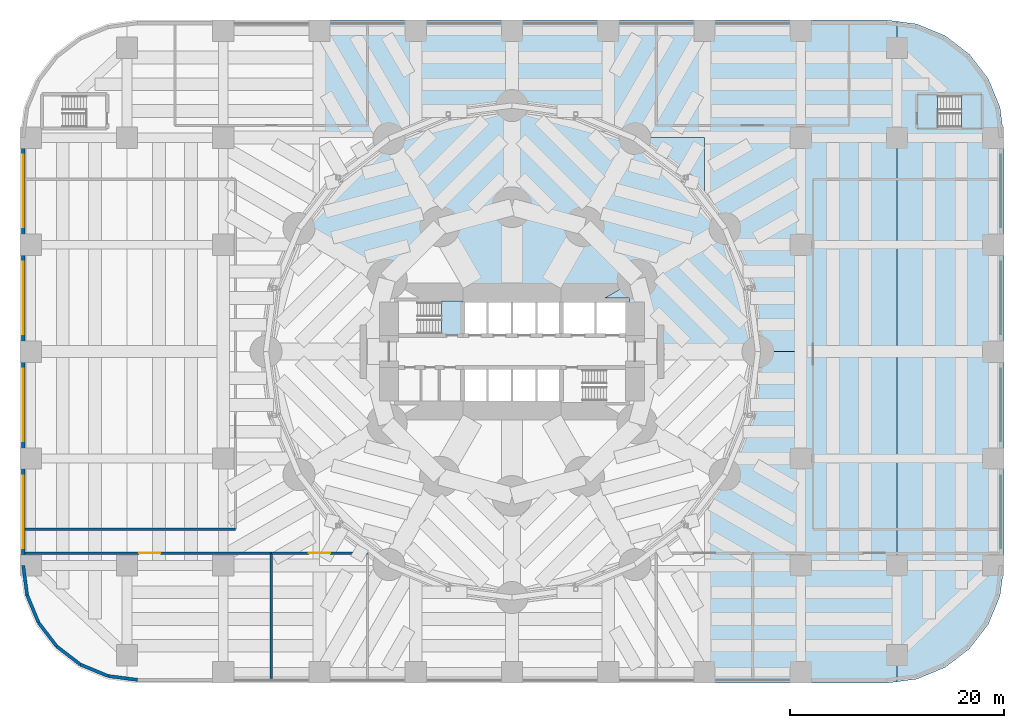
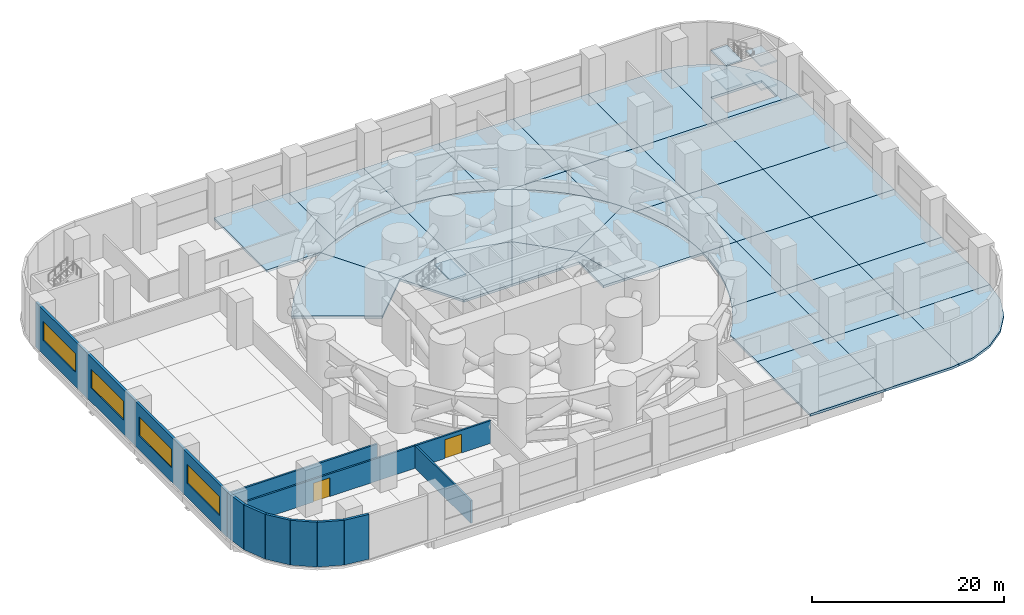
# One storey, part 8 of 14: 37 slabs, 11 walls, 4 windows, 2 doors, 6 openings, 2 elements without a shape of their own.
"""IFC4 building model written with IfcOpenShell, lengths in metres."""

from ifc_helpers import new_model, si_unit, direction, frame, frame_2d, origin, place, context, subcontext, project, spatial, polyline, rectangle, outline, extrude, material, layer, layer_set, type_object, element, fill, aggregate, save


model = new_model("IFC4")

# Units and contexts
model_context = context("Model", 3, precision=1e-05, world=origin(), true_north=direction((0.0, 1.0)))
body_context = subcontext(model_context, "Body", "Model", "MODEL_VIEW")
ifc_project = project(units=[si_unit("LENGTHUNIT", "METRE"), si_unit("AREAUNIT", "SQUARE_METRE"), si_unit("VOLUMEUNIT", "CUBIC_METRE"), si_unit("PLANEANGLEUNIT", "RADIAN"), si_unit("MASSUNIT", "GRAM", prefix="KILO")], contexts=[model_context])

# Site, building, storey
site_placement = place(None, origin())
site = spatial("IfcSite", under=ifc_project, at=site_placement, CompositionType="ELEMENT")
building_placement = place(site_placement, origin())
building = spatial("IfcBuilding", under=site, at=building_placement, Name="Qaws Media Tower", CompositionType="ELEMENT")
storey_placement = place(building_placement, frame((0.0, 0.0, 20.0)))
storey = spatial("IfcBuildingStorey", under=building, at=storey_placement, Name="L03", CompositionType="ELEMENT", Elevation=20.0)

# Slabs
ifc_material_1 = material(Name="Concrete C40/50", Category="concrete")
ifc_layer_1 = layer(ifc_material_1, 0.300048828125)
ifc_layer_set_1 = layer_set([ifc_layer_1], Name="Podium slab 300")
slab_type_1 = type_object("IfcSlabType", Name="Podium slab 300", PredefinedType="FLOOR", material=ifc_layer_set_1)
slab_1_placement = place(storey_placement, frame((0.0, 0.0, -0.300048828125)))
element("IfcSlab", 1, at=slab_1_placement, inside=storey, type_object=slab_type_1, Name="S3 slab L03 bay 4-5/F-G", PredefinedType="FLOOR", context=body_context, shape_type="SweptSolid", body=[
    extrude(outline(polyline([(51.0, 81.0), (51.0, 71.159423828125), (49.827392578125, 70.628173828125), (48.65234375, 70.0), (42.0, 70.0), (42.0, 81.0), (51.0, 81.0)])), origin(), (0.0, 0.0, 1.0), 0.300048828125),
])
slab_2_placement = place(storey_placement, frame((0.0, 0.0, -0.300048828125)))
element("IfcSlab", 2, at=slab_2_placement, inside=storey, type_object=slab_type_1, Name="S3 slab L03 bay 5-6/F-G", PredefinedType="FLOOR", context=body_context, shape_type="SweptSolid", body=[
    extrude(outline(polyline([(60.0, 81.0), (60.0, 73.0), (58.49560546875, 72.95068359375), (56.997802734375, 72.80322265625), (55.512939453125, 72.55810546875), (54.047119140625, 72.21630859375), (52.60693359375, 71.779296875), (51.1982421875, 71.249267578125), (51.0, 71.159423828125), (51.0, 81.0), (60.0, 81.0)])), origin(), (0.0, 0.0, 1.0), 0.300048828125),
])
slab_3_placement = place(storey_placement, frame((0.0, 0.0, -0.300048828125)))
element("IfcSlab", 3, at=slab_3_placement, inside=storey, type_object=slab_type_1, Name="S3 slab L03 bay 6-7/F-G", PredefinedType="FLOOR", context=body_context, shape_type="SweptSolid", body=[
    extrude(outline(polyline([(69.0, 81.0), (69.0, 71.159423828125), (68.8017578125, 71.249267578125), (67.39306640625, 71.779296875), (65.952880859375, 72.21630859375), (64.487060546875, 72.55810546875), (63.002197265625, 72.80322265625), (61.50439453125, 72.95068359375), (60.0, 73.0), (60.0, 81.0), (69.0, 81.0)])), origin(), (0.0, 0.0, 1.0), 0.300048828125),
])
slab_4_placement = place(storey_placement, frame((0.0, 0.0, -0.300048828125)))
element("IfcSlab", 4, at=slab_4_placement, inside=storey, type_object=slab_type_1, Name="S3 slab L03 bay 7-8/E-F", PredefinedType="FLOOR", context=body_context, shape_type="SweptSolid", body=[
    extrude(outline(polyline([(77.292236328125, 65.1650390625), (76.263427734375, 66.263427734375), (75.1650390625, 67.292236328125), (74.00146484375, 68.2470703125), (72.778076171875, 69.123779296875), (71.5, 69.918701171875), (71.34765625, 70.0), (78.0, 70.0), (78.0, 64.302490234375), (77.292236328125, 65.1650390625)])), origin(), (0.0, 0.0, 1.0), 0.300048828125),
])
slab_5_placement = place(storey_placement, frame((0.0, 0.0, -0.300048828125)))
element("IfcSlab", 5, at=slab_5_placement, inside=storey, type_object=slab_type_1, Name="S3 slab L03 bay 7-8/F-G", PredefinedType="FLOOR", context=body_context, shape_type="SweptSolid", body=[
    extrude(outline(polyline([(78.0, 81.0), (78.0, 70.0), (71.34765625, 70.0), (70.172607421875, 70.628173828125), (69.0, 71.159423828125), (69.0, 81.0), (78.0, 81.0)])), origin(), (0.0, 0.0, 1.0), 0.300048828125),
])
slab_6_placement = place(storey_placement, frame((0.0, 0.0, -0.300048828125)))
element("IfcSlab", 6, at=slab_6_placement, inside=storey, type_object=slab_type_1, Name="S3 slab L03 bay 8-9/A-B", PredefinedType="FLOOR", context=body_context, shape_type="SweptSolid", body=[
    extrude(outline(polyline([(78.0, 19.0), (78.0, 30.0), (87.0, 30.0), (87.0, 19.0), (78.0, 19.0)])), origin(), (0.0, 0.0, 1.0), 0.300048828125),
])
slab_7_placement = place(storey_placement, frame((0.0, 0.0, -0.300048828125)))
element("IfcSlab", 7, at=slab_7_placement, inside=storey, type_object=slab_type_1, Name="S3 slab L03 bay 8-9/B-C", PredefinedType="FLOOR", context=body_context, shape_type="SweptSolid", body=[
    extrude(outline(polyline([(78.2470703125, 35.99853515625), (79.123779296875, 37.221923828125), (79.918701171875, 38.5), (80.628173828125, 39.827392578125), (80.706298828125, 40.0), (87.0, 40.0), (87.0, 30.0), (78.0, 30.0), (78.0, 35.697509765625), (78.2470703125, 35.99853515625)])), origin(), (0.0, 0.0, 1.0), 0.300048828125),
])
slab_8_placement = place(storey_placement, frame((0.0, 0.0, -0.300048828125)))
element("IfcSlab", 8, at=slab_8_placement, inside=storey, type_object=slab_type_1, Name="S3 slab L03 bay 8-9/C-D", PredefinedType="FLOOR", context=body_context, shape_type="SweptSolid", body=[
    extrude(outline(polyline([(81.249267578125, 41.1982421875), (81.779296875, 42.60693359375), (82.21630859375, 44.047119140625), (82.55810546875, 45.512939453125), (82.80322265625, 46.997802734375), (82.95068359375, 48.49560546875), (83.0, 50.0), (87.0, 50.0), (87.0, 40.0), (80.706298828125, 40.0), (81.249267578125, 41.1982421875)])), origin(), (0.0, 0.0, 1.0), 0.300048828125),
])
slab_9_placement = place(storey_placement, frame((0.0, 0.0, -0.300048828125)))
element("IfcSlab", 9, at=slab_9_placement, inside=storey, type_object=slab_type_1, Name="S3 slab L03 bay 8-9/D-E", PredefinedType="FLOOR", context=body_context, shape_type="SweptSolid", body=[
    extrude(outline(polyline([(82.21630859375, 55.952880859375), (81.779296875, 57.39306640625), (81.249267578125, 58.8017578125), (80.706298828125, 60.0), (87.0, 60.0), (87.0, 50.0), (83.0, 50.0), (82.95068359375, 51.50439453125), (82.80322265625, 53.002197265625), (82.55810546875, 54.487060546875), (82.21630859375, 55.952880859375)])), origin(), (0.0, 0.0, 1.0), 0.300048828125),
])
slab_10_placement = place(storey_placement, frame((0.0, 0.0, -0.300048828125)))
element("IfcSlab", 10, at=slab_10_placement, inside=storey, type_object=slab_type_1, Name="S3 slab L03 bay 8-9/E-F", PredefinedType="FLOOR", context=body_context, shape_type="SweptSolid", body=[
    extrude(outline(polyline([(80.628173828125, 60.172607421875), (79.918701171875, 61.5), (79.123779296875, 62.778076171875), (78.2470703125, 64.00146484375), (78.0, 64.302490234375), (78.0, 70.0), (87.0, 70.0), (87.0, 60.0), (80.706298828125, 60.0), (80.628173828125, 60.172607421875)])), origin(), (0.0, 0.0, 1.0), 0.300048828125),
])
slab_11_placement = place(storey_placement, frame((0.0, 0.0, -0.300048828125)))
element("IfcSlab", 11, at=slab_11_placement, inside=storey, type_object=slab_type_1, Name="S3 slab L03 bay 8-9/F-G", PredefinedType="FLOOR", context=body_context, shape_type="SweptSolid", body=[
    extrude(outline(polyline([(87.0, 81.0), (87.0, 70.0), (78.0, 70.0), (78.0, 81.0), (87.0, 81.0)])), origin(), (0.0, 0.0, 1.0), 0.300048828125),
])
slab_12_placement = place(storey_placement, frame((0.0, 0.0, -0.300048828125)))
element("IfcSlab", 12, at=slab_12_placement, inside=storey, type_object=slab_type_1, Name="S3 slab L03 bay 9-10/A-B", PredefinedType="FLOOR", context=body_context, shape_type="SweptSolid", body=[
    extrude(outline(polyline([(95.0, 19.0), (87.0, 19.0), (87.0, 30.0), (96.0, 30.0), (96.0, 19.131591796875), (95.0, 19.0)])), origin(), (0.0, 0.0, 1.0), 0.300048828125),
])
slab_13_placement = place(storey_placement, frame((0.0, 0.0, -0.300048828125)))
element("IfcSlab", 13, at=slab_13_placement, inside=storey, type_object=slab_type_1, Name="S3 slab L03 bay 9-10/B-C", PredefinedType="FLOOR", context=body_context, shape_type="SweptSolid", body=[
    extrude(outline(polyline([(87.0, 30.0), (87.0, 40.0), (96.0, 40.0), (96.0, 30.0), (87.0, 30.0)])), origin(), (0.0, 0.0, 1.0), 0.300048828125),
])
slab_14_placement = place(storey_placement, frame((0.0, 0.0, -0.300048828125)))
element("IfcSlab", 14, at=slab_14_placement, inside=storey, type_object=slab_type_1, Name="S3 slab L03 bay 9-10/C-D", PredefinedType="FLOOR", context=body_context, shape_type="SweptSolid", body=[
    extrude(outline(polyline([(87.0, 40.0), (87.0, 50.0), (96.0, 50.0), (96.0, 40.0), (87.0, 40.0)])), origin(), (0.0, 0.0, 1.0), 0.300048828125),
])
slab_15_placement = place(storey_placement, frame((0.0, 0.0, -0.300048828125)))
element("IfcSlab", 15, at=slab_15_placement, inside=storey, type_object=slab_type_1, Name="S3 slab L03 bay 9-10/D-E", PredefinedType="FLOOR", context=body_context, shape_type="SweptSolid", body=[
    extrude(outline(polyline([(87.0, 50.0), (87.0, 60.0), (96.0, 60.0), (96.0, 50.0), (87.0, 50.0)])), origin(), (0.0, 0.0, 1.0), 0.300048828125),
])
slab_16_placement = place(storey_placement, frame((0.0, 0.0, -0.300048828125)))
element("IfcSlab", 16, at=slab_16_placement, inside=storey, type_object=slab_type_1, Name="S3 slab L03 bay 9-10/E-F", PredefinedType="FLOOR", context=body_context, shape_type="SweptSolid", body=[
    extrude(outline(polyline([(87.0, 60.0), (87.0, 70.0), (96.0, 70.0), (96.0, 60.0), (87.0, 60.0)])), origin(), (0.0, 0.0, 1.0), 0.300048828125),
])
slab_17_placement = place(storey_placement, frame((0.0, 0.0, -0.300048828125)))
element("IfcSlab", 17, at=slab_17_placement, inside=storey, type_object=slab_type_1, Name="S3 slab L03 bay 9-10/F-G", PredefinedType="FLOOR", context=body_context, shape_type="SweptSolid", body=[
    extrude(outline(polyline([(95.0, 81.0), (96.0, 80.868408203125), (96.0, 70.0), (87.0, 70.0), (87.0, 81.0), (95.0, 81.0)])), origin(), (0.0, 0.0, 1.0), 0.300048828125),
])
slab_18_placement = place(storey_placement, frame((0.0, 0.0, -0.300048828125)))
element("IfcSlab", 18, at=slab_18_placement, inside=storey, type_object=slab_type_1, Name="S3 slab L03 bay 10-11/A-B", PredefinedType="FLOOR", context=body_context, shape_type="SweptSolid", body=[
    extrude(outline(polyline([(105.625244140625, 27.153076171875), (104.5263671875, 24.5), (102.7783203125, 22.2216796875), (100.5, 20.4736328125), (97.846923828125, 19.374755859375), (96.0, 19.131591796875), (96.0, 30.0), (106.0, 30.0), (105.625244140625, 27.153076171875)])), origin(), (0.0, 0.0, 1.0), 0.300048828125),
])
slab_19_placement = place(storey_placement, frame((0.0, 0.0, -0.300048828125)))
element("IfcSlab", 19, at=slab_19_placement, inside=storey, type_object=slab_type_1, Name="S3 slab L03 bay 10-11/B-C", PredefinedType="FLOOR", context=body_context, shape_type="SweptSolid", body=[
    extrude(outline(polyline([(106.0, 30.0), (96.0, 30.0), (96.0, 40.0), (106.0, 40.0), (106.0, 30.0)])), origin(), (0.0, 0.0, 1.0), 0.300048828125),
])
slab_20_placement = place(storey_placement, frame((0.0, 0.0, -0.300048828125)))
element("IfcSlab", 20, at=slab_20_placement, inside=storey, type_object=slab_type_1, Name="S3 slab L03 bay 10-11/C-D", PredefinedType="FLOOR", context=body_context, shape_type="SweptSolid", body=[
    extrude(outline(polyline([(106.0, 40.0), (96.0, 40.0), (96.0, 50.0), (106.0, 50.0), (106.0, 40.0)])), origin(), (0.0, 0.0, 1.0), 0.300048828125),
])
slab_21_placement = place(storey_placement, frame((0.0, 0.0, -0.300048828125)))
element("IfcSlab", 21, at=slab_21_placement, inside=storey, type_object=slab_type_1, Name="S3 slab L03 bay 10-11/D-E", PredefinedType="FLOOR", context=body_context, shape_type="SweptSolid", body=[
    extrude(outline(polyline([(106.0, 50.0), (96.0, 50.0), (96.0, 60.0), (106.0, 60.0), (106.0, 50.0)])), origin(), (0.0, 0.0, 1.0), 0.300048828125),
])
slab_22_placement = place(storey_placement, frame((0.0, 0.0, -0.300048828125)))
element("IfcSlab", 22, at=slab_22_placement, inside=storey, type_object=slab_type_1, Name="S3 slab L03 bay 10-11/E-F", PredefinedType="FLOOR", context=body_context, shape_type="SweptSolid", body=[
    extrude(outline(polyline([(106.0, 60.0), (96.0, 60.0), (96.0, 70.0), (106.0, 70.0), (106.0, 60.0)])), origin(), (0.0, 0.0, 1.0), 0.300048828125),
])
slab_23_placement = place(storey_placement, frame((0.0, 0.0, -0.300048828125)))
element("IfcSlab", 23, at=slab_23_placement, inside=storey, type_object=slab_type_1, Name="S3 slab L03 bay 10-11/F-G", PredefinedType="FLOOR", context=body_context, shape_type="SweptSolid", body=[
    extrude(outline(polyline([(97.846923828125, 80.625244140625), (100.5, 79.5263671875), (102.7783203125, 77.7783203125), (104.5263671875, 75.5), (105.625244140625, 72.846923828125), (106.0, 70.0), (96.0, 70.0), (96.0, 80.868408203125), (97.846923828125, 80.625244140625)]), holes=[polyline([(97.85009765625, 74.050048828125), (97.85009765625, 70.85009765625), (103.949951171875, 70.85009765625), (103.949951171875, 74.050048828125), (97.85009765625, 74.050048828125)])]), origin(), (0.0, 0.0, 1.0), 0.300048828125),
])
slab_24_placement = place(storey_placement, frame((0.0, 0.0, -0.300048828125)))
element("IfcSlab", 24, at=slab_24_placement, inside=storey, type_object=slab_type_1, Name="S3 slab L03 tower sector R01-R03 outer", PredefinedType="FLOOR", context=body_context, shape_type="SweptSolid", body=[
    extrude(outline(polyline([(82.80322265625, 53.002197265625), (82.95068359375, 51.50439453125), (83.0, 50.0), (73.5, 50.0), (71.69140625, 56.75), (79.918701171875, 61.5), (80.628173828125, 60.172607421875), (81.249267578125, 58.8017578125), (81.779296875, 57.39306640625), (82.21630859375, 55.952880859375), (82.55810546875, 54.487060546875), (82.80322265625, 53.002197265625)])), origin(), (0.0, 0.0, 1.0), 0.300048828125),
])
slab_25_placement = place(storey_placement, frame((0.0, 0.0, -0.300048828125)))
element("IfcSlab", 25, at=slab_25_placement, inside=storey, type_object=slab_type_1, Name="S3 slab L03 tower sector R01-R03 inner", PredefinedType="FLOOR", context=body_context, shape_type="SweptSolid", body=[
    extrude(outline(polyline([(71.0, 50.0), (71.0, 55.0), (68.660400390625, 55.0), (71.69140625, 56.75), (73.5, 50.0), (71.0, 50.0)])), origin(), (0.0, 0.0, 1.0), 0.300048828125),
])
slab_26_placement = place(storey_placement, frame((0.0, 0.0, -0.300048828125)))
element("IfcSlab", 26, at=slab_26_placement, inside=storey, type_object=slab_type_1, Name="S3 slab L03 tower sector R03-R05 outer", PredefinedType="FLOOR", context=body_context, shape_type="SweptSolid", body=[
    extrude(outline(polyline([(78.2470703125, 64.00146484375), (79.123779296875, 62.778076171875), (79.918701171875, 61.5), (71.69140625, 56.75), (66.75, 61.69140625), (71.5, 69.918701171875), (72.778076171875, 69.123779296875), (74.00146484375, 68.2470703125), (75.1650390625, 67.292236328125), (76.263427734375, 66.263427734375), (77.292236328125, 65.1650390625), (78.2470703125, 64.00146484375)])), origin(), (0.0, 0.0, 1.0), 0.300048828125),
])
slab_27_placement = place(storey_placement, frame((0.0, 0.0, -0.300048828125)))
element("IfcSlab", 27, at=slab_27_placement, inside=storey, type_object=slab_type_1, Name="S3 slab L03 tower sector R03-R05 inner", PredefinedType="FLOOR", context=body_context, shape_type="SweptSolid", body=[
    extrude(outline(polyline([(68.660400390625, 55.0), (62.88671875, 55.0), (66.75, 61.69140625), (71.69140625, 56.75), (68.660400390625, 55.0)])), origin(), (0.0, 0.0, 1.0), 0.300048828125),
])
slab_28_placement = place(storey_placement, frame((0.0, 0.0, -0.300048828125)))
element("IfcSlab", 28, at=slab_28_placement, inside=storey, type_object=slab_type_1, Name="S3 slab L03 tower sector R05-R07 outer", PredefinedType="FLOOR", context=body_context, shape_type="SweptSolid", body=[
    extrude(outline(polyline([(68.8017578125, 71.249267578125), (70.172607421875, 70.628173828125), (71.5, 69.918701171875), (66.75, 61.69140625), (60.0, 63.5), (60.0, 73.0), (61.50439453125, 72.95068359375), (63.002197265625, 72.80322265625), (64.487060546875, 72.55810546875), (65.952880859375, 72.21630859375), (67.39306640625, 71.779296875), (68.8017578125, 71.249267578125)])), origin(), (0.0, 0.0, 1.0), 0.300048828125),
])
slab_29_placement = place(storey_placement, frame((0.0, 0.0, -0.300048828125)))
element("IfcSlab", 29, at=slab_29_placement, inside=storey, type_object=slab_type_1, Name="S3 slab L03 tower sector R05-R07 inner", PredefinedType="FLOOR", context=body_context, shape_type="SweptSolid", body=[
    extrude(outline(polyline([(62.88671875, 55.0), (60.0, 55.0), (60.0, 63.5), (66.75, 61.69140625), (62.88671875, 55.0)])), origin(), (0.0, 0.0, 1.0), 0.300048828125),
])
slab_30_placement = place(storey_placement, frame((0.0, 0.0, -0.300048828125)))
element("IfcSlab", 30, at=slab_30_placement, inside=storey, type_object=slab_type_1, Name="S3 slab L03 tower sector R07-R09 outer", PredefinedType="FLOOR", context=body_context, shape_type="SweptSolid", body=[
    extrude(outline(polyline([(56.997802734375, 72.80322265625), (58.49560546875, 72.95068359375), (60.0, 73.0), (60.0, 63.5), (53.25, 61.69140625), (48.5, 69.918701171875), (49.827392578125, 70.628173828125), (51.1982421875, 71.249267578125), (52.60693359375, 71.779296875), (54.047119140625, 72.21630859375), (55.512939453125, 72.55810546875), (56.997802734375, 72.80322265625)])), origin(), (0.0, 0.0, 1.0), 0.300048828125),
])
slab_31_placement = place(storey_placement, frame((0.0, 0.0, -0.300048828125)))
element("IfcSlab", 31, at=slab_31_placement, inside=storey, type_object=slab_type_1, Name="S3 slab L03 tower sector R07-R09 inner", PredefinedType="FLOOR", context=body_context, shape_type="SweptSolid", body=[
    extrude(outline(polyline([(60.0, 55.0), (57.11328125, 55.0), (53.25, 61.69140625), (60.0, 63.5), (60.0, 55.0)])), origin(), (0.0, 0.0, 1.0), 0.300048828125),
])
slab_32_placement = place(storey_placement, frame((0.0, 0.0, -0.300048828125)))
element("IfcSlab", 32, at=slab_32_placement, inside=storey, type_object=slab_type_1, Name="S3 slab L03 tower sector R09-R11 outer", PredefinedType="FLOOR", context=body_context, shape_type="SweptSolid", body=[
    extrude(outline(polyline([(45.99853515625, 68.2470703125), (47.221923828125, 69.123779296875), (48.5, 69.918701171875), (53.25, 61.69140625), (48.30859375, 56.75), (40.081298828125, 61.5), (40.876220703125, 62.778076171875), (41.7529296875, 64.00146484375), (42.707763671875, 65.1650390625), (43.736572265625, 66.263427734375), (44.8349609375, 67.292236328125), (45.99853515625, 68.2470703125)])), origin(), (0.0, 0.0, 1.0), 0.300048828125),
])

# Stair, slab
ifc_material_2 = material(Name="Concrete C40/50", Category="concrete")
stair_type = type_object("IfcStairType", Name="Exit stair", PredefinedType="HALF_TURN_STAIR", material=ifc_material_2)
stair_1_placement = place(storey_placement, origin())
stair_1 = element("IfcStair", 33, at=stair_1_placement, inside=storey, type_object=stair_type, Name="S1 exit stair L03", PredefinedType="HALF_TURN_STAIR")
ifc_material_3 = material(Name="Concrete C40/50", Category="concrete")
ifc_layer_2 = layer(ifc_material_3, 0.199951171875)
ifc_layer_set_2 = layer_set([ifc_layer_2], Name="Stair landing 200")
slab_type_2 = type_object("IfcSlabType", Name="Stair landing 200", PredefinedType="LANDING", material=ifc_layer_set_2)
slab_33_placement = place(storey_placement, frame((0.0, 0.0, 5.800048828125)))
slab_33 = element("IfcSlab", 34, at=slab_33_placement, type_object=slab_type_2, Name="S1 landing 4", PredefinedType="LANDING", context=body_context, shape_type="SweptSolid", body=[
    extrude(outline(polyline([(53.419921875, 51.550048828125), (55.35009765625, 51.550048828125), (55.35009765625, 54.75), (53.419921875, 54.75), (53.419921875, 51.550048828125)])), origin(), (0.0, 0.0, 1.0), 0.199951171875),
])
aggregate(stair_1, [slab_33])

# Stair, slabs
stair_2_placement = place(storey_placement, origin())
stair_2 = element("IfcStair", 35, at=stair_2_placement, inside=storey, type_object=stair_type, Name="S4 exit stair L03", PredefinedType="HALF_TURN_STAIR")
slab_34_placement = place(storey_placement, frame((0.0, 0.0, 1.300048828125)))
slab_34 = element("IfcSlab", 36, at=slab_34_placement, type_object=slab_type_2, Name="S4 landing 1", PredefinedType="LANDING", context=body_context, shape_type="SweptSolid", body=[
    extrude(outline(polyline([(102.02001953125, 70.85009765625), (103.949951171875, 70.85009765625), (103.949951171875, 74.050048828125), (102.02001953125, 74.050048828125), (102.02001953125, 70.85009765625)])), origin(), (0.0, 0.0, 1.0), 0.199951171875),
])
slab_35_placement = place(storey_placement, frame((0.0, 0.0, 2.800048828125)))
slab_35 = element("IfcSlab", 37, at=slab_35_placement, type_object=slab_type_2, Name="S4 landing 2", PredefinedType="LANDING", context=body_context, shape_type="SweptSolid", body=[
    extrude(outline(polyline([(97.85009765625, 70.85009765625), (99.780029296875, 70.85009765625), (99.780029296875, 74.050048828125), (97.85009765625, 74.050048828125), (97.85009765625, 70.85009765625)])), origin(), (0.0, 0.0, 1.0), 0.199951171875),
])
slab_36_placement = place(storey_placement, frame((0.0, 0.0, 4.300048828125)))
slab_36 = element("IfcSlab", 38, at=slab_36_placement, type_object=slab_type_2, Name="S4 landing 3", PredefinedType="LANDING", context=body_context, shape_type="SweptSolid", body=[
    extrude(outline(polyline([(102.02001953125, 70.85009765625), (103.949951171875, 70.85009765625), (103.949951171875, 74.050048828125), (102.02001953125, 74.050048828125), (102.02001953125, 70.85009765625)])), origin(), (0.0, 0.0, 1.0), 0.199951171875),
])
slab_37_placement = place(storey_placement, frame((0.0, 0.0, 5.800048828125)))
slab_37 = element("IfcSlab", 39, at=slab_37_placement, type_object=slab_type_2, Name="S4 landing 4", PredefinedType="LANDING", context=body_context, shape_type="SweptSolid", body=[
    extrude(outline(polyline([(97.85009765625, 70.85009765625), (99.780029296875, 70.85009765625), (99.780029296875, 74.050048828125), (97.85009765625, 74.050048828125), (97.85009765625, 70.85009765625)])), origin(), (0.0, 0.0, 1.0), 0.199951171875),
])
aggregate(stair_2, [slab_34, slab_35, slab_36, slab_37])

# Wall
ifc_material_4 = material(Name="215 dense concrete blockwork, fair faced", Category="masonry")
ifc_layer_3 = layer(ifc_material_4, 0.215087890625)
ifc_layer_set_3 = layer_set([ifc_layer_3], Name="Plant room blockwork wall 215")
wall_type_1 = type_object("IfcWallType", Name="Plant room blockwork wall 215", PredefinedType="PARTITIONING", material=ifc_layer_set_3)
wall_1_placement = place(storey_placement, frame((37.5, 19.455078125, 0.0), z_axis=(0.0, 0.0, 1.0), x_axis=(0.0, 1.0, 0.0)))
element("IfcWall", 40, at=wall_1_placement, inside=storey, type_object=wall_type_1, Name="W752 IW7 partition L03", PredefinedType="PARTITIONING", context=body_context, shape_type="SweptSolid", body=[
    extrude(rectangle(XDim=11.69482421875, YDim=0.215087890625, at=frame_2d((5.847412109375, 0.0))), origin(), (0.0, 0.0, 1.0), 2.8798828125),
])

# Wall, opening, door
wall_2_placement = place(storey_placement, frame((14.455078125, 31.14990234375, 0.0), z_axis=(0.0, 0.0, 1.0), x_axis=(1.0, 0.0, 0.0)))
wall_2 = element("IfcWall", 41, at=wall_2_placement, inside=storey, type_object=wall_type_1, Name="W748 IW7 partition L03", PredefinedType="PARTITIONING", context=body_context, shape_type="SweptSolid", body=[
    extrude(rectangle(XDim=23.044921875, YDim=0.215087890625, at=frame_2d((11.5224609375, 0.0))), origin(), (0.0, 0.0, 1.0), 2.8798828125),
])
opening_1_placement = place(wall_2_placement, frame((10.672607421875, 0.0, 0.0)))
opening_1 = element("IfcOpeningElement", 42, at=opening_1_placement, cuts=wall_2, Name="Opening D19", PredefinedType="OPENING", context=body_context, shape_type="SweptSolid", body=[
    extrude(rectangle(XDim=2.0, YDim=2.39990234375, at=frame_2d((1.0, 1.199951171875))), frame((0.0, 0.117431640625, 0.0), z_axis=(0.0, -1.0, 0.0), x_axis=(1.0, 0.0, 0.0)), (0.0, 0.0, 1.0), 0.235107421875),
])
ifc_material_5 = material(Name="Steel, fire rated, louvred", Category="steel")
door_type = type_object("IfcDoorType", Name="Plant room door pair 2000x2400", OperationType="DOUBLE_DOOR_DOUBLE_SWING", PredefinedType="DOOR", material=ifc_material_5)
door_1_placement = place(opening_1_placement, origin())
door_1 = element("IfcDoor", 43, at=door_1_placement, inside=storey, type_object=door_type, Name="D19 Chilled water plant room door in wall W748", OperationType="DOUBLE_DOOR_DOUBLE_SWING", OverallHeight=2.39990234375, OverallWidth=2.0, PredefinedType="DOOR", context=body_context, shape_type="SweptSolid", body=[
    extrude(rectangle(XDim=2.0, YDim=2.39990234375, at=frame_2d((1.0, 1.199951171875))), frame((0.0, 0.02490234375, 0.0), z_axis=(0.0, -1.0, 0.0), x_axis=(1.0, 0.0, 0.0)), (0.0, 0.0, 1.0), 0.050048828125),
])
fill(opening_1, door_1)

wall_3_placement = place(storey_placement, frame((37.5, 31.14990234375, 0.0), z_axis=(0.0, 0.0, 1.0), x_axis=(1.0, 0.0, 0.0)))
wall_3 = element("IfcWall", 44, at=wall_3_placement, inside=storey, type_object=wall_type_1, Name="W753 IW7 partition L03", PredefinedType="PARTITIONING", context=body_context, shape_type="SweptSolid", body=[
    extrude(rectangle(XDim=9.0, YDim=0.215087890625, at=frame_2d((4.5, 0.0))), origin(), (0.0, 0.0, 1.0), 2.8798828125),
])
opening_2_placement = place(wall_3_placement, frame((3.5, 0.0, 0.0)))
opening_2 = element("IfcOpeningElement", 45, at=opening_2_placement, cuts=wall_3, Name="Opening D19", PredefinedType="OPENING", context=body_context, shape_type="SweptSolid", body=[
    extrude(rectangle(XDim=2.0, YDim=2.39990234375, at=frame_2d((1.0, 1.199951171875))), frame((0.0, 0.117431640625, 0.0), z_axis=(0.0, -1.0, 0.0), x_axis=(1.0, 0.0, 0.0)), (0.0, 0.0, 1.0), 0.235107421875),
])
door_2_placement = place(opening_2_placement, origin())
door_2 = element("IfcDoor", 46, at=door_2_placement, inside=storey, type_object=door_type, Name="D19 Sprinkler pump room door in wall W753", OperationType="DOUBLE_DOOR_DOUBLE_SWING", OverallHeight=2.39990234375, OverallWidth=2.0, PredefinedType="DOOR", context=body_context, shape_type="SweptSolid", body=[
    extrude(rectangle(XDim=2.0, YDim=2.39990234375, at=frame_2d((1.0, 1.199951171875))), frame((0.0, 0.02490234375, 0.0), z_axis=(0.0, -1.0, 0.0), x_axis=(1.0, 0.0, 0.0)), (0.0, 0.0, 1.0), 0.050048828125),
])
fill(opening_2, door_2)

# Wall
wall_4_placement = place(storey_placement, frame((14.455078125, 33.39990234375, 0.0), z_axis=(0.0, 0.0, 1.0), x_axis=(1.0, 0.0, 0.0)))
element("IfcWall", 47, at=wall_4_placement, inside=storey, type_object=wall_type_1, Name="W749 IW7 partition L03", PredefinedType="PARTITIONING", context=body_context, shape_type="SweptSolid", body=[
    extrude(rectangle(XDim=19.69482421875, YDim=0.215087890625, at=frame_2d((9.847412109375, 0.0))), origin(), (0.0, 0.0, 1.0), 2.8798828125),
])

# Wall, openings, windows
ifc_material_6 = material(Name="Precast concrete, exposed finish", Category="concrete")
ifc_layer_4 = layer(ifc_material_6, 0.300048828125)
ifc_layer_set_4 = layer_set([ifc_layer_4], Name="Podium facade wall 300")
wall_type_2 = type_object("IfcWallType", Name="Podium facade wall 300", PredefinedType="SOLIDWALL", material=ifc_layer_set_4)
wall_5_placement = place(storey_placement, frame((14.300048828125, 70.0, 0.0), z_axis=(0.0, 0.0, 1.0), x_axis=(0.0, -1.0, 0.0)))
wall_5 = element("IfcWall", 48, at=wall_5_placement, inside=storey, type_object=wall_type_2, Name="W793 EW2 podium wall L03-21", PredefinedType="SOLIDWALL", context=body_context, shape_type="SweptSolid", body=[
    extrude(rectangle(XDim=40.0, YDim=0.300048828125, at=frame_2d((20.0, 0.0))), origin(), (0.0, 0.0, 1.0), 5.699951171875),
])
opening_3_placement = place(wall_5_placement, frame((31.60009765625, 0.0, 1.800048828125)))
opening_3 = element("IfcOpeningElement", 49, at=opening_3_placement, cuts=wall_5, Name="Opening W5", PredefinedType="OPENING", context=body_context, shape_type="SweptSolid", body=[
    extrude(rectangle(XDim=6.800048828125, YDim=2.39990234375, at=frame_2d((3.39990234375, 1.199951171875))), frame((0.0, 0.159912109375, 0.0), z_axis=(0.0, -1.0, 0.0), x_axis=(1.0, 0.0, 0.0)), (0.0, 0.0, 1.0), 0.320068359375),
])
opening_4_placement = place(wall_5_placement, frame((21.60009765625, 0.0, 1.800048828125)))
opening_4 = element("IfcOpeningElement", 50, at=opening_4_placement, cuts=wall_5, Name="Opening W5", PredefinedType="OPENING", context=body_context, shape_type="SweptSolid", body=[
    extrude(rectangle(XDim=6.800048828125, YDim=2.39990234375, at=frame_2d((3.39990234375, 1.199951171875))), frame((0.0, 0.159912109375, 0.0), z_axis=(0.0, -1.0, 0.0), x_axis=(1.0, 0.0, 0.0)), (0.0, 0.0, 1.0), 0.320068359375),
])
opening_5_placement = place(wall_5_placement, frame((11.60009765625, 0.0, 1.800048828125)))
opening_5 = element("IfcOpeningElement", 51, at=opening_5_placement, cuts=wall_5, Name="Opening W5", PredefinedType="OPENING", context=body_context, shape_type="SweptSolid", body=[
    extrude(rectangle(XDim=6.800048828125, YDim=2.39990234375, at=frame_2d((3.39990234375, 1.199951171875))), frame((0.0, 0.159912109375, 0.0), z_axis=(0.0, -1.0, 0.0), x_axis=(1.0, 0.0, 0.0)), (0.0, 0.0, 1.0), 0.320068359375),
])
opening_6_placement = place(wall_5_placement, frame((1.60009765625, 0.0, 1.800048828125)))
opening_6 = element("IfcOpeningElement", 52, at=opening_6_placement, cuts=wall_5, Name="Opening W5", PredefinedType="OPENING", context=body_context, shape_type="SweptSolid", body=[
    extrude(rectangle(XDim=6.800048828125, YDim=2.39990234375, at=frame_2d((3.39990234375, 1.199951171875))), frame((0.0, 0.159912109375, 0.0), z_axis=(0.0, -1.0, 0.0), x_axis=(1.0, 0.0, 0.0)), (0.0, 0.0, 1.0), 0.320068359375),
])
ifc_material_7 = material(Name="Aluminium louvre", Category="aluminium")
window_type = type_object("IfcWindowType", Name="Plant louvre window 6800x2400", PartitioningType="TRIPLE_PANEL_HORIZONTAL", PredefinedType="WINDOW", material=ifc_material_7)
window_1_placement = place(opening_3_placement, origin())
window_1 = element("IfcWindow", 53, at=window_1_placement, inside=storey, type_object=window_type, Name="W5 window L03 bay 2", OverallHeight=2.39990234375, OverallWidth=6.800048828125, PartitioningType="SINGLE_PANEL", PredefinedType="WINDOW", context=body_context, shape_type="SweptSolid", body=[
    extrude(rectangle(XDim=6.800048828125, YDim=2.39990234375, at=frame_2d((3.39990234375, 1.199951171875))), frame((0.0, 0.030029296875, 0.0), z_axis=(0.0, -1.0, 0.0), x_axis=(1.0, 0.0, 0.0)), (0.0, 0.0, 1.0), 0.06005859375),
])
fill(opening_3, window_1)
window_2_placement = place(opening_4_placement, origin())
window_2 = element("IfcWindow", 54, at=window_2_placement, inside=storey, type_object=window_type, Name="W5 window L03 bay 3", OverallHeight=2.39990234375, OverallWidth=6.800048828125, PartitioningType="SINGLE_PANEL", PredefinedType="WINDOW", context=body_context, shape_type="SweptSolid", body=[
    extrude(rectangle(XDim=6.800048828125, YDim=2.39990234375, at=frame_2d((3.39990234375, 1.199951171875))), frame((0.0, 0.030029296875, 0.0), z_axis=(0.0, -1.0, 0.0), x_axis=(1.0, 0.0, 0.0)), (0.0, 0.0, 1.0), 0.06005859375),
])
fill(opening_4, window_2)
window_3_placement = place(opening_5_placement, origin())
window_3 = element("IfcWindow", 55, at=window_3_placement, inside=storey, type_object=window_type, Name="W5 window L03 bay 4", OverallHeight=2.39990234375, OverallWidth=6.800048828125, PartitioningType="SINGLE_PANEL", PredefinedType="WINDOW", context=body_context, shape_type="SweptSolid", body=[
    extrude(rectangle(XDim=6.800048828125, YDim=2.39990234375, at=frame_2d((3.39990234375, 1.199951171875))), frame((0.0, 0.030029296875, 0.0), z_axis=(0.0, -1.0, 0.0), x_axis=(1.0, 0.0, 0.0)), (0.0, 0.0, 1.0), 0.06005859375),
])
fill(opening_5, window_3)
window_4_placement = place(opening_6_placement, origin())
window_4 = element("IfcWindow", 56, at=window_4_placement, inside=storey, type_object=window_type, Name="W5 window L03 bay 5", OverallHeight=2.39990234375, OverallWidth=6.800048828125, PartitioningType="SINGLE_PANEL", PredefinedType="WINDOW", context=body_context, shape_type="SweptSolid", body=[
    extrude(rectangle(XDim=6.800048828125, YDim=2.39990234375, at=frame_2d((3.39990234375, 1.199951171875))), frame((0.0, 0.030029296875, 0.0), z_axis=(0.0, -1.0, 0.0), x_axis=(1.0, 0.0, 0.0)), (0.0, 0.0, 1.0), 0.06005859375),
])
fill(opening_6, window_4)

# Walls
wall_6_placement = place(storey_placement, frame((14.300048828125, 30.0, 0.0), z_axis=(0.0, 0.0, 1.0), x_axis=(0.130497471798, -0.991448642066, 0.0)))
element("IfcWall", 57, at=wall_6_placement, inside=storey, type_object=wall_type_2, Name="W763 EW2 podium wall L03-22", PredefinedType="SOLIDWALL", context=body_context, shape_type="SweptSolid", body=[
    extrude(rectangle(XDim=2.793212890625, YDim=0.300048828125, at=frame_2d((1.396484375, 0.0))), origin(), (0.0, 0.0, 1.0), 5.699951171875),
])
wall_7_placement = place(storey_placement, frame((14.66455078125, 27.230712890625, 0.0), z_axis=(0.0, 0.0, 1.0), x_axis=(0.382709424419, -0.923868765822, 0.0)))
element("IfcWall", 58, at=wall_7_placement, inside=storey, type_object=wall_type_2, Name="W765 EW2 podium wall L03-23", PredefinedType="SOLIDWALL", context=body_context, shape_type="SweptSolid", body=[
    extrude(rectangle(XDim=2.79345703125, YDim=0.300048828125, at=frame_2d((1.396728515625, 0.0))), origin(), (0.0, 0.0, 1.0), 5.699951171875),
])
for number, where, z_axis, x_axis, name in (
    (59, (15.733642578125, 24.64990234375, 0.0), (0.0, 0.0, 1.0), (0.608704923183, -0.793396695539, 0.0), "W767 EW2 podium wall L03-24"),
    (60, (17.433837890625, 22.433837890625, 0.0), (0.0, 0.0, 1.0), (0.793396695539, -0.608704923183, 0.0), "W769 EW2 podium wall L03-25"),
):
    element("IfcWall", number, at=place(storey_placement, frame(where, z_axis=z_axis, x_axis=x_axis)), inside=storey, type_object=wall_type_2, Name=name, PredefinedType="SOLIDWALL", context=body_context, shape_type="SweptSolid", body=[
        extrude(rectangle(XDim=2.793212890625, YDim=0.300048828125, at=frame_2d((1.396484375, 0.0))), origin(), (0.0, 0.0, 1.0), 5.699951171875),
    ])
wall_8_placement = place(storey_placement, frame((19.64990234375, 20.733642578125, 0.0), z_axis=(0.0, 0.0, 1.0), x_axis=(0.923868765822, -0.382709424419, 0.0)))
element("IfcWall", 61, at=wall_8_placement, inside=storey, type_object=wall_type_2, Name="W771 EW2 podium wall L03-26", PredefinedType="SOLIDWALL", context=body_context, shape_type="SweptSolid", body=[
    extrude(rectangle(XDim=2.79345703125, YDim=0.300048828125, at=frame_2d((1.396728515625, 0.0))), origin(), (0.0, 0.0, 1.0), 5.699951171875),
])
wall_9_placement = place(storey_placement, frame((22.230712890625, 19.66455078125, 0.0), z_axis=(0.0, 0.0, 1.0), x_axis=(0.991448642066, -0.130497471798, 0.0)))
element("IfcWall", 62, at=wall_9_placement, inside=storey, type_object=wall_type_2, Name="W773 EW2 podium wall L03-27", PredefinedType="SOLIDWALL", context=body_context, shape_type="SweptSolid", body=[
    extrude(rectangle(XDim=2.793212890625, YDim=0.300048828125, at=frame_2d((1.396484375, 0.0))), origin(), (0.0, 0.0, 1.0), 5.699951171875),
])

save(model, "model.ifc")
